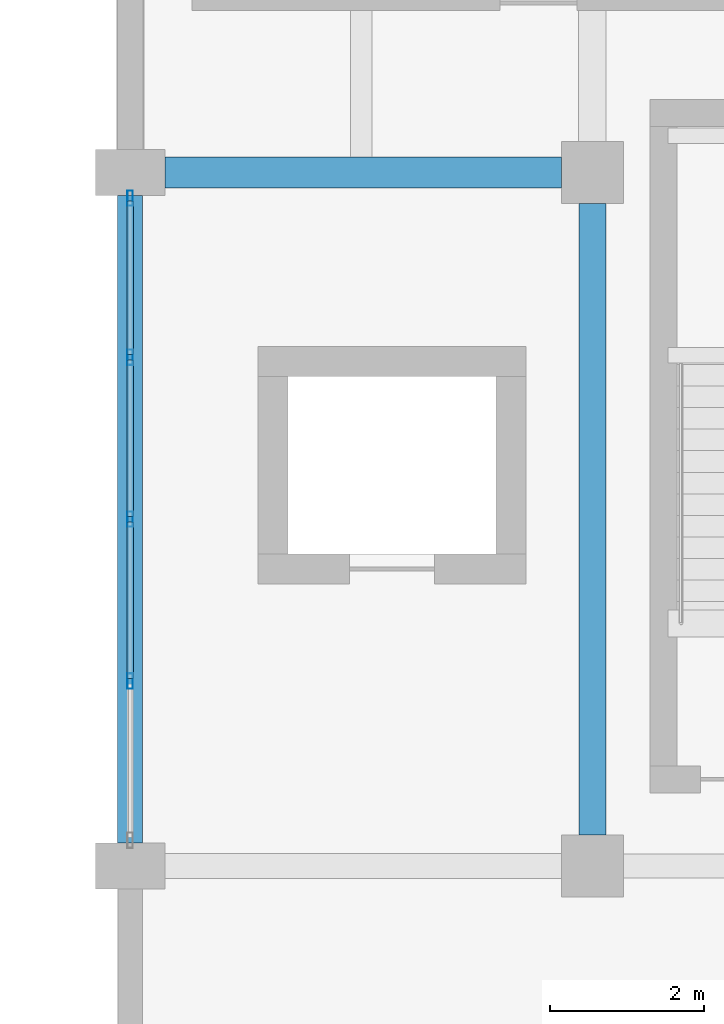
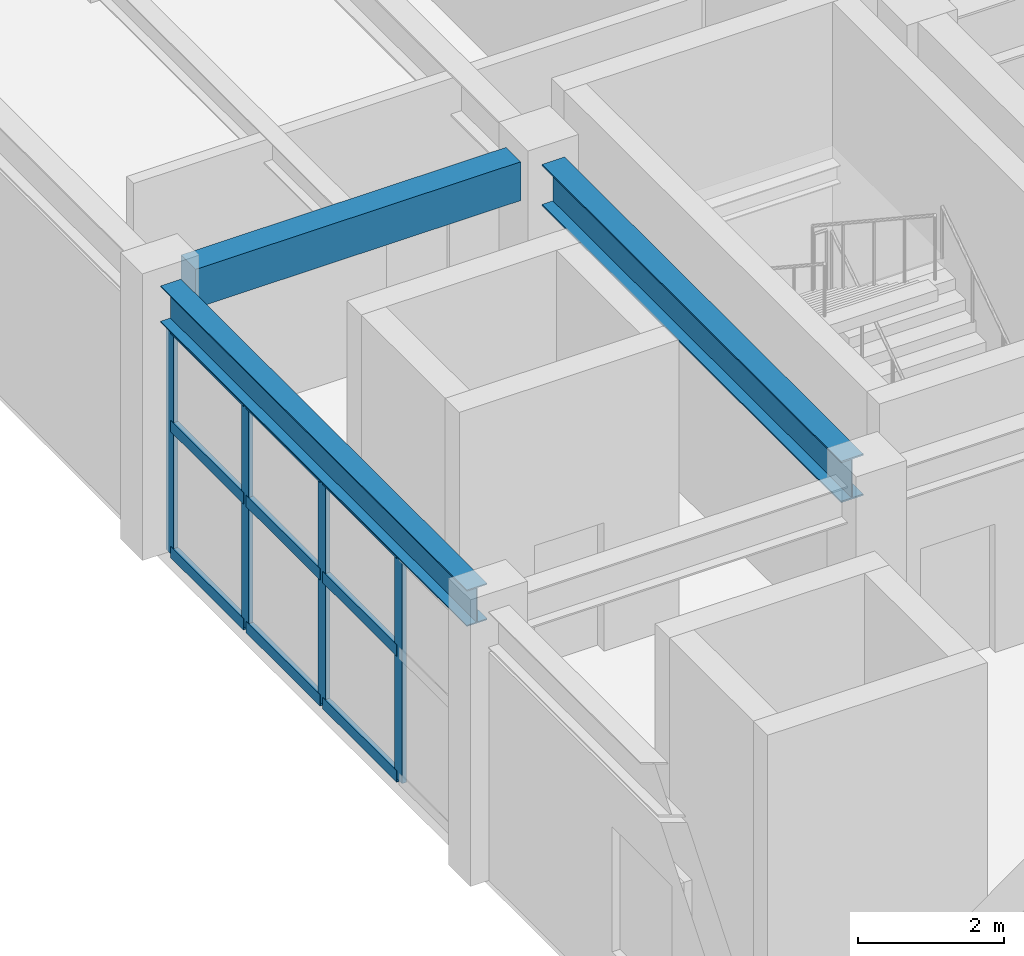
# One storey, part 13 of 96: 13 members, 3 beams, 1 element without a shape of its own.
"""IFC4 building model written with IfcOpenShell, lengths in metres."""

from ifc_helpers import new_model, si_unit, direction, frame, origin, origin_2d, place, context, subcontext, project, spatial, rectangle, hollow_rectangle, i_section, extrude, material, layer, layer_set, material_profile, profile_set, type_object, element, aggregate, save


model = new_model("IFC4")

# Units and contexts
model_context = context("Model", 3, precision=1e-05, world=origin(), true_north=direction((0.0, 1.0)))
body_context = subcontext(model_context, "Body", "Model", "MODEL_VIEW")
ifc_project = project(units=[si_unit("LENGTHUNIT", "METRE"), si_unit("AREAUNIT", "SQUARE_METRE"), si_unit("VOLUMEUNIT", "CUBIC_METRE"), si_unit("PLANEANGLEUNIT", "RADIAN"), si_unit("MASSUNIT", "GRAM", prefix="KILO")], contexts=[model_context])

# Site, building, storey
site_placement = place(None, origin())
site = spatial("IfcSite", under=ifc_project, at=site_placement, CompositionType="ELEMENT")
building_placement = place(site_placement, origin())
building = spatial("IfcBuilding", under=site, at=building_placement, Name="Vaelkrest Opera House", CompositionType="ELEMENT")
storey_placement = place(building_placement, frame((0.0, 0.0, 5.39990234375)))
storey = spatial("IfcBuildingStorey", under=building, at=storey_placement, Name="L01", CompositionType="ELEMENT", Elevation=5.39990234375)

# Beams
ifc_material_1 = material(Name="Concrete C50/60", Category="concrete")
ifc_material_profile_1 = material_profile(ifc_material_1, rectangle(XDim=0.39990234375, YDim=0.64990234375, at=origin_2d()), Name="RCB400X650")
ifc_profile_set_1 = profile_set([ifc_material_profile_1], Name="Concrete C50/60")
beam_type_1 = type_object("IfcBeamType", Name="B01", PredefinedType="BEAM", material=ifc_profile_set_1)
beam_1_placement = place(storey_placement, frame((-29.550048828125, -19.800048828125, 4.175048828125), z_axis=(1.0, 0.0, 0.0), x_axis=(0.0, 1.0, 0.0)))
element("IfcBeam", 1, at=beam_1_placement, inside=storey, type_object=beam_type_1, Name="Beam BM-V1-L01-0229", PredefinedType="BEAM", context=body_context, shape_type="SweptSolid", body=[
    extrude(rectangle(XDim=0.39990234375, YDim=0.64990234375, at=origin_2d()), origin(), (0.0, 0.0, 1.0), 5.150146484375),
])
ifc_material_2 = material(Name="Steel A992 Gr50", Category="steel")
ifc_material_profile_2 = material_profile(ifc_material_2, i_section(OverallWidth=0.35498046875, OverallDepth=0.695068359375, WebThickness=0.015380859375, FlangeThickness=0.02490234375, at=origin_2d()), Name="W27X146")
ifc_profile_set_2 = profile_set([ifc_material_profile_2], Name="Steel A992 Gr50")
beam_type_2 = type_object("IfcBeamType", Name="B10", PredefinedType="BEAM", material=ifc_profile_set_2)
beam_2_placement = place(storey_placement, frame((-24.0, -28.39990234375, 4.152587890625), z_axis=(0.0, 1.0, 0.0), x_axis=(-1.0, 0.0, 0.0)))
element("IfcBeam", 2, at=beam_2_placement, inside=storey, type_object=beam_type_2, Name="Beam BM-V1-L01-0265", PredefinedType="BEAM", context=body_context, shape_type="SweptSolid", body=[
    extrude(i_section(OverallWidth=0.35498046875, OverallDepth=0.695068359375, WebThickness=0.015380859375, FlangeThickness=0.02490234375, at=origin_2d()), origin(), (0.0, 0.0, 1.0), 8.199951171875),
])

# Curtain wall, members
ifc_material_3 = material(Name="Dark bronze anodized aluminium", Category="aluminium")
ifc_layer = layer(ifc_material_3, 0.22998046875)
ifc_layer_set = layer_set([ifc_layer], Name="Dark bronze anodized aluminium")
curtain_wall_type = type_object("IfcCurtainWallType", Name="CW06", PredefinedType="NOTDEFINED", material=ifc_layer_set)
curtain_wall_placement = place(storey_placement, origin())
curtain_wall = element("IfcCurtainWall", 3, at=curtain_wall_placement, inside=storey, type_object=curtain_wall_type, Name="Curtain wall CW-L01-026", PredefinedType="NOTDEFINED")
ifc_material_profile_3 = material_profile(ifc_material_3, hollow_rectangle(XDim=0.070068359375, YDim=0.199951171875, WallThickness=0.004150390625, at=origin_2d()), Name="CWM70X200")
ifc_profile_set_3 = profile_set([ifc_material_profile_3], Name="Dark bronze anodized aluminium")
member_type_1 = type_object("IfcMemberType", Name="CWM02", PredefinedType="MULLION", material=ifc_profile_set_3)
member_1_placement = place(storey_placement, frame((-30.0, -26.40087890625, 0.0), z_axis=(0.0, 0.0, 1.0), x_axis=(-1.0, 0.0, 0.0)))
member_1 = element("IfcMember", 4, at=member_1_placement, type_object=member_type_1, Name="CW06 mullion 2", PredefinedType="MULLION", context=body_context, shape_type="SweptSolid", body=[
    extrude(hollow_rectangle(XDim=0.070068359375, YDim=0.199951171875, WallThickness=0.004150390625, at=origin_2d()), origin(), (0.0, 0.0, 1.0), 3.82421875),
])
member_2_placement = place(storey_placement, frame((-30.0, -24.300048828125, 0.0), z_axis=(0.0, 0.0, 1.0), x_axis=(-1.0, 0.0, 0.0)))
member_2 = element("IfcMember", 5, at=member_2_placement, type_object=member_type_1, Name="CW06 mullion 3", PredefinedType="MULLION", context=body_context, shape_type="SweptSolid", body=[
    extrude(hollow_rectangle(XDim=0.070068359375, YDim=0.199951171875, WallThickness=0.004150390625, at=origin_2d()), origin(), (0.0, 0.0, 1.0), 3.82421875),
])
member_3_placement = place(storey_placement, frame((-30.0, -22.198974609375, 0.0), z_axis=(0.0, 0.0, 1.0), x_axis=(-1.0, 0.0, 0.0)))
member_3 = element("IfcMember", 6, at=member_3_placement, type_object=member_type_1, Name="CW06 mullion 4", PredefinedType="MULLION", context=body_context, shape_type="SweptSolid", body=[
    extrude(hollow_rectangle(XDim=0.070068359375, YDim=0.199951171875, WallThickness=0.004150390625, at=origin_2d()), origin(), (0.0, 0.0, 1.0), 3.82421875),
])
member_4_placement = place(storey_placement, frame((-30.0, -20.133056640625, 0.0), z_axis=(0.0, 0.0, 1.0), x_axis=(-1.0, 0.0, 0.0)))
member_4 = element("IfcMember", 7, at=member_4_placement, type_object=member_type_1, Name="CW06 mullion 5", PredefinedType="MULLION", context=body_context, shape_type="SweptSolid", body=[
    extrude(hollow_rectangle(XDim=0.070068359375, YDim=0.199951171875, WallThickness=0.004150390625, at=origin_2d()), origin(), (0.0, 0.0, 1.0), 3.82421875),
])
ifc_material_profile_4 = material_profile(ifc_material_3, hollow_rectangle(XDim=0.080078125, YDim=0.18994140625, WallThickness=0.0048828125, at=origin_2d()), Name="CWT80X190")
ifc_profile_set_4 = profile_set([ifc_material_profile_4], Name="Dark bronze anodized aluminium")
member_type_2 = type_object("IfcMemberType", Name="CWT04", PredefinedType="USERDEFINED", material=ifc_profile_set_4)
member_5_placement = place(storey_placement, frame((-30.0, -26.365966796875, 0.0400390625), z_axis=(0.0, 1.0, 0.0), x_axis=(-1.0, 0.0, 0.0)))
member_5 = element("IfcMember", 8, at=member_5_placement, type_object=member_type_2, Name="CW06 transom 2.1", ObjectType="TRANSOM", PredefinedType="USERDEFINED", context=body_context, shape_type="SweptSolid", body=[
    extrude(hollow_rectangle(XDim=0.080078125, YDim=0.18994140625, WallThickness=0.0048828125, at=origin_2d()), origin(), (0.0, 0.0, 1.0), 2.031005859375),
])
member_6_placement = place(storey_placement, frame((-30.0, -26.365966796875, 2.150146484375), z_axis=(0.0, 1.0, 0.0), x_axis=(-1.0, 0.0, 0.0)))
member_6 = element("IfcMember", 9, at=member_6_placement, type_object=member_type_2, Name="CW06 transom 2.2", ObjectType="TRANSOM", PredefinedType="USERDEFINED", context=body_context, shape_type="SweptSolid", body=[
    extrude(hollow_rectangle(XDim=0.080078125, YDim=0.18994140625, WallThickness=0.0048828125, at=origin_2d()), origin(), (0.0, 0.0, 1.0), 2.031005859375),
])
member_7_placement = place(storey_placement, frame((-30.0, -26.365966796875, 3.7841796875), z_axis=(0.0, 1.0, 0.0), x_axis=(-1.0, 0.0, 0.0)))
member_7 = element("IfcMember", 10, at=member_7_placement, type_object=member_type_2, Name="CW06 transom 2.3", ObjectType="TRANSOM", PredefinedType="USERDEFINED", context=body_context, shape_type="SweptSolid", body=[
    extrude(hollow_rectangle(XDim=0.080078125, YDim=0.18994140625, WallThickness=0.0048828125, at=origin_2d()), origin(), (0.0, 0.0, 1.0), 2.031005859375),
])
member_8_placement = place(storey_placement, frame((-30.0, -24.264892578125, 0.0400390625), z_axis=(0.0, 1.0, 0.0), x_axis=(-1.0, 0.0, 0.0)))
member_8 = element("IfcMember", 11, at=member_8_placement, type_object=member_type_2, Name="CW06 transom 3.1", ObjectType="TRANSOM", PredefinedType="USERDEFINED", context=body_context, shape_type="SweptSolid", body=[
    extrude(hollow_rectangle(XDim=0.080078125, YDim=0.18994140625, WallThickness=0.0048828125, at=origin_2d()), origin(), (0.0, 0.0, 1.0), 2.031005859375),
])
member_9_placement = place(storey_placement, frame((-30.0, -24.264892578125, 2.150146484375), z_axis=(0.0, 1.0, 0.0), x_axis=(-1.0, 0.0, 0.0)))
member_9 = element("IfcMember", 12, at=member_9_placement, type_object=member_type_2, Name="CW06 transom 3.2", ObjectType="TRANSOM", PredefinedType="USERDEFINED", context=body_context, shape_type="SweptSolid", body=[
    extrude(hollow_rectangle(XDim=0.080078125, YDim=0.18994140625, WallThickness=0.0048828125, at=origin_2d()), origin(), (0.0, 0.0, 1.0), 2.031005859375),
])
member_10_placement = place(storey_placement, frame((-30.0, -24.264892578125, 3.7841796875), z_axis=(0.0, 1.0, 0.0), x_axis=(-1.0, 0.0, 0.0)))
member_10 = element("IfcMember", 13, at=member_10_placement, type_object=member_type_2, Name="CW06 transom 3.3", ObjectType="TRANSOM", PredefinedType="USERDEFINED", context=body_context, shape_type="SweptSolid", body=[
    extrude(hollow_rectangle(XDim=0.080078125, YDim=0.18994140625, WallThickness=0.0048828125, at=origin_2d()), origin(), (0.0, 0.0, 1.0), 2.031005859375),
])
member_11_placement = place(storey_placement, frame((-30.0, -22.1640625, 0.0400390625), z_axis=(0.0, 1.0, 0.0), x_axis=(-1.0, 0.0, 0.0)))
member_11 = element("IfcMember", 14, at=member_11_placement, type_object=member_type_2, Name="CW06 transom 4.1", ObjectType="TRANSOM", PredefinedType="USERDEFINED", context=body_context, shape_type="SweptSolid", body=[
    extrude(hollow_rectangle(XDim=0.080078125, YDim=0.18994140625, WallThickness=0.0048828125, at=origin_2d()), origin(), (0.0, 0.0, 1.0), 1.99609375),
])
member_12_placement = place(storey_placement, frame((-30.0, -22.1640625, 2.150146484375), z_axis=(0.0, 1.0, 0.0), x_axis=(-1.0, 0.0, 0.0)))
member_12 = element("IfcMember", 15, at=member_12_placement, type_object=member_type_2, Name="CW06 transom 4.2", ObjectType="TRANSOM", PredefinedType="USERDEFINED", context=body_context, shape_type="SweptSolid", body=[
    extrude(hollow_rectangle(XDim=0.080078125, YDim=0.18994140625, WallThickness=0.0048828125, at=origin_2d()), origin(), (0.0, 0.0, 1.0), 1.99609375),
])
member_13_placement = place(storey_placement, frame((-30.0, -22.1640625, 3.7841796875), z_axis=(0.0, 1.0, 0.0), x_axis=(-1.0, 0.0, 0.0)))
member_13 = element("IfcMember", 16, at=member_13_placement, type_object=member_type_2, Name="CW06 transom 4.3", ObjectType="TRANSOM", PredefinedType="USERDEFINED", context=body_context, shape_type="SweptSolid", body=[
    extrude(hollow_rectangle(XDim=0.080078125, YDim=0.18994140625, WallThickness=0.0048828125, at=origin_2d()), origin(), (0.0, 0.0, 1.0), 1.99609375),
])
aggregate(curtain_wall, [member_1, member_2, member_3, member_4, member_5, member_6, member_7, member_8, member_9, member_10, member_11, member_12, member_13])

# Beam
ifc_material_profile_5 = material_profile(ifc_material_2, i_section(OverallWidth=0.323974609375, OverallDepth=0.611083984375, WebThickness=0.0126953125, FlangeThickness=0.01904296875, at=origin_2d()), Name="W24X104")
ifc_profile_set_5 = profile_set([ifc_material_profile_5], Name="Steel A992 Gr50")
beam_type_3 = type_object("IfcBeamType", Name="SP01", PredefinedType="SPANDREL", material=ifc_profile_set_5)
beam_3_placement = place(storey_placement, frame((-30.0, -28.5, 4.194580078125), z_axis=(0.0, 1.0, 0.0), x_axis=(-1.0, 0.0, 0.0)))
element("IfcBeam", 17, at=beam_3_placement, inside=storey, type_object=beam_type_3, Name="Beam BM-V1-L01-0260", PredefinedType="SPANDREL", context=body_context, shape_type="SweptSolid", body=[
    extrude(i_section(OverallWidth=0.323974609375, OverallDepth=0.611083984375, WebThickness=0.0126953125, FlangeThickness=0.01904296875, at=origin_2d()), origin(), (0.0, 0.0, 1.0), 8.39990234375),
])

save(model, "model.ifc")
